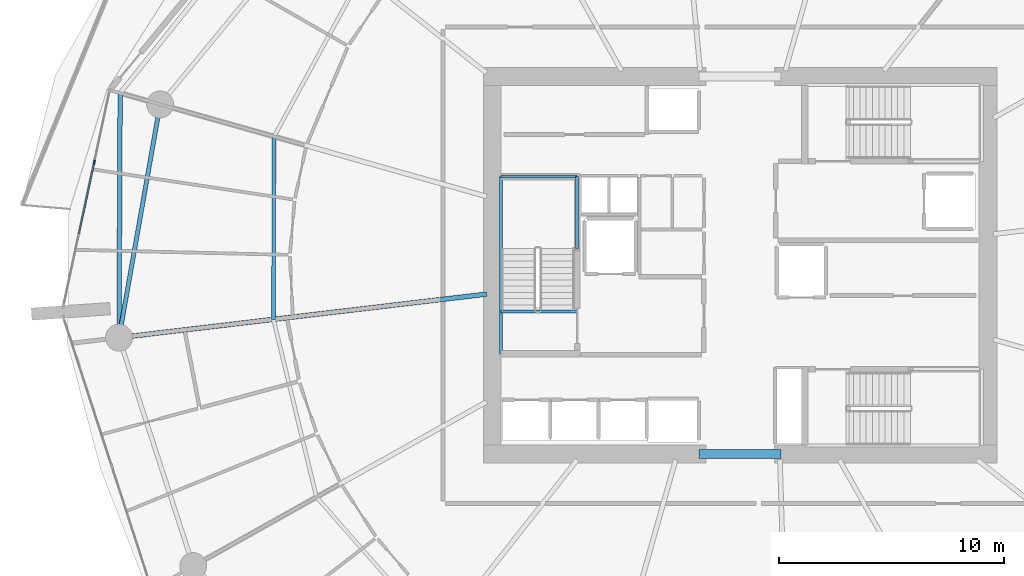
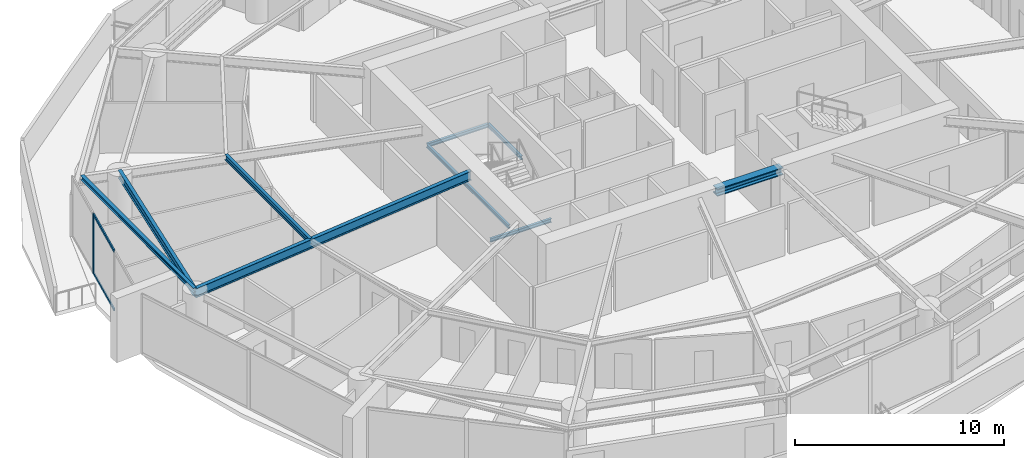
# One storey, part 6 of 23: 9 beams, 3 members, 1 element without a shape of its own.
"""IFC4 building model written with IfcOpenShell, lengths in metres."""

from ifc_helpers import new_model, si_unit, direction, frame, origin, origin_2d, place, context, subcontext, project, spatial, rectangle, i_section, extrude, material, layer, layer_set, material_profile, profile_set, type_object, element, aggregate, save


model = new_model("IFC4")

# Units and contexts
model_context = context("Model", 3, precision=1e-05, world=origin(), true_north=direction((0.0, 1.0)))
body_context = subcontext(model_context, "Body", "Model", "MODEL_VIEW")
ifc_project = project(units=[si_unit("LENGTHUNIT", "METRE"), si_unit("AREAUNIT", "SQUARE_METRE"), si_unit("VOLUMEUNIT", "CUBIC_METRE"), si_unit("PLANEANGLEUNIT", "RADIAN"), si_unit("MASSUNIT", "GRAM", prefix="KILO")], contexts=[model_context])

# Site, building, storey
site_placement = place(None, origin())
site = spatial("IfcSite", under=ifc_project, at=site_placement, CompositionType="ELEMENT")
building_placement = place(site_placement, origin())
building = spatial("IfcBuilding", under=site, at=building_placement, Name="Kazma Halo Residences", CompositionType="ELEMENT")
storey_placement = place(building_placement, frame((0.0, 0.0, 108.89990234375)))
storey = spatial("IfcBuildingStorey", under=building, at=storey_placement, Name="L27", CompositionType="ELEMENT", Elevation=108.89990234375)

# Beams
ifc_material_1 = material(Name="Steel S355", Category="steel")
ifc_material_profile_1 = material_profile(ifc_material_1, i_section(OverallWidth=0.201904296875, OverallDepth=0.2470703125, WebThickness=0.00732421875, FlangeThickness=0.010986328125, FilletRadius=0.011962890625, at=origin_2d()), Name="W250x49.1")
ifc_profile_set_1 = profile_set([ifc_material_profile_1], Name="Steel S355")
beam_type_1 = type_object("IfcBeamType", Name="BM-BAL-CANT", PredefinedType="BEAM", material=ifc_profile_set_1)
beam_1_placement = place(storey_placement, frame((20.8427734375, 49.6591796875, 3.376708984375), z_axis=(-0.004532963616, -0.999989726068, 0.0), x_axis=(0.999989726068, -0.004532963616, 0.0)))
element("IfcBeam", 1, at=beam_1_placement, inside=storey, type_object=beam_type_1, Name="L27 wave-balcony tie beam 07", PredefinedType="BEAM", context=body_context, shape_type="SweptSolid", body=[
    extrude(i_section(OverallWidth=0.201904296875, OverallDepth=0.2470703125, WebThickness=0.00732421875, FlangeThickness=0.010986328125, FilletRadius=0.011962890625, at=origin_2d()), origin(), (0.0, 0.0, 1.0), 10.87939453125),
])
ifc_material_profile_2 = material_profile(ifc_material_1, i_section(OverallWidth=0.408935546875, OverallDepth=0.425048828125, WebThickness=0.03271484375, FlangeThickness=0.052490234375, FilletRadius=0.02001953125, at=origin_2d()), Name="W360x421")
ifc_profile_set_2 = profile_set([ifc_material_profile_2], Name="Steel S355")
beam_type_2 = type_object("IfcBeamType", Name="BM-CORE-W360H", PredefinedType="BEAM", material=ifc_profile_set_2)
beam_2_placement = place(storey_placement, frame((46.60009765625, 33.60009765625, 3.28759765625), z_axis=(1.0, 0.0, 0.0), x_axis=(0.0, 1.0, 0.0)))
element("IfcBeam", 2, at=beam_2_placement, inside=storey, type_object=beam_type_2, Name="L27 core coupling beam S", PredefinedType="BEAM", context=body_context, shape_type="SweptSolid", body=[
    extrude(i_section(OverallWidth=0.408935546875, OverallDepth=0.425048828125, WebThickness=0.03271484375, FlangeThickness=0.052490234375, FilletRadius=0.02001953125, at=origin_2d()), origin(), (0.0, 0.0, 1.0), 3.64990234375),
])
ifc_material_profile_3 = material_profile(ifc_material_1, i_section(OverallWidth=0.208984375, OverallDepth=0.532958984375, WebThickness=0.01025390625, FlangeThickness=0.015625, FilletRadius=0.01611328125, at=origin_2d()), Name="W530x92")
ifc_profile_set_3 = profile_set([ifc_material_profile_3], Name="Steel S355")
beam_type_3 = type_object("IfcBeamType", Name="BM-RAD-W530", PredefinedType="BEAM", material=ifc_profile_set_3)
beam_3_placement = place(storey_placement, frame((37.14990234375, 40.7158203125, 3.233642578125), z_axis=(-0.99306759037, -0.117544718963, 0.0), x_axis=(0.117544718963, -0.99306759037, 0.0)))
element("IfcBeam", 3, at=beam_3_placement, inside=storey, type_object=beam_type_3, Name="L27 radial floor beam 08", PredefinedType="BEAM", context=body_context, shape_type="SweptSolid", body=[
    extrude(i_section(OverallWidth=0.208984375, OverallDepth=0.532958984375, WebThickness=0.01025390625, FlangeThickness=0.015625, FilletRadius=0.01611328125, at=origin_2d()), origin(), (0.0, 0.0, 1.0), 16.470703125),
])
ifc_material_profile_4 = material_profile(ifc_material_1, i_section(OverallWidth=0.1650390625, OverallDepth=0.31005859375, WebThickness=0.005859375, FlangeThickness=0.009765625, FilletRadius=0.011962890625, at=origin_2d()), Name="W310x38.7")
ifc_profile_set_4 = profile_set([ifc_material_profile_4], Name="Steel S355")
beam_type_4 = type_object("IfcBeamType", Name="BM-SEC-W310B", PredefinedType="JOIST", material=ifc_profile_set_4)
beam_4_placement = place(storey_placement, frame((27.69189453125, 47.7275390625, 3.34521484375), z_axis=(-0.003541500645, -0.999993728867, 0.0), x_axis=(0.999993728867, -0.003541500645, 0.0)))
element("IfcBeam", 4, at=beam_4_placement, inside=storey, type_object=beam_type_4, Name="L27 circumferential floor joist 07", PredefinedType="JOIST", context=body_context, shape_type="SweptSolid", body=[
    extrude(i_section(OverallWidth=0.1650390625, OverallDepth=0.31005859375, WebThickness=0.005859375, FlangeThickness=0.009765625, FilletRadius=0.011962890625, at=origin_2d()), origin(), (0.0, 0.0, 1.0), 8.134521484375),
])
ifc_material_profile_5 = material_profile(ifc_material_1, i_section(OverallWidth=0.18994140625, OverallDepth=0.45703125, WebThickness=0.009033203125, FlangeThickness=0.014404296875, FilletRadius=0.01611328125, at=origin_2d()), Name="W460x74")
ifc_profile_set_5 = profile_set([ifc_material_profile_5], Name="Steel S355")
beam_type_5 = type_object("IfcBeamType", Name="BM-SPN-W460", PredefinedType="BEAM", material=ifc_profile_set_5)
beam_5_placement = place(storey_placement, frame((22.623291015625, 49.156982421875, 3.271484375), z_axis=(-0.173653159051, -0.984806874647, 0.0), x_axis=(0.984806874647, -0.173653159051, 0.0)))
element("IfcBeam", 5, at=beam_5_placement, inside=storey, type_object=beam_type_5, Name="L27 perimeter ring beam 07", PredefinedType="BEAM", context=body_context, shape_type="SweptSolid", body=[
    extrude(i_section(OverallWidth=0.18994140625, OverallDepth=0.45703125, WebThickness=0.009033203125, FlangeThickness=0.014404296875, FilletRadius=0.01611328125, at=origin_2d()), origin(), (0.0, 0.0, 1.0), 10.537353515625),
])
ifc_material_profile_6 = material_profile(ifc_material_1, i_section(OverallWidth=0.133056640625, OverallDepth=0.20703125, WebThickness=0.005859375, FlangeThickness=0.00830078125, FilletRadius=0.010009765625, at=origin_2d()), Name="W200x26.6")
ifc_profile_set_6 = profile_set([ifc_material_profile_6], Name="Steel S355")
beam_type_6 = type_object("IfcBeamType", Name="BM-TRIM-W200", PredefinedType="BEAM", material=ifc_profile_set_6)
beam_6_placement = place(storey_placement, frame((37.800048828125, 39.949951171875, -0.35986328125), z_axis=(1.0, 0.0, 0.0), x_axis=(0.0, 1.0, 0.0)))
element("IfcBeam", 6, at=beam_6_placement, inside=storey, type_object=beam_type_6, Name="L27 ST-01 floor landing support beam", PredefinedType="BEAM", context=body_context, shape_type="SweptSolid", body=[
    extrude(i_section(OverallWidth=0.133056640625, OverallDepth=0.20703125, WebThickness=0.005859375, FlangeThickness=0.00830078125, FilletRadius=0.010009765625, at=origin_2d()), origin(), (0.0, 0.0, 1.0), 3.3798828125),
])
beam_7_placement = place(storey_placement, frame((37.780029296875, 38.06005859375, 1.570068359375), z_axis=(0.0, 1.0, 0.0), x_axis=(-1.0, 0.0, 0.0)))
element("IfcBeam", 7, at=beam_7_placement, inside=storey, type_object=beam_type_6, Name="L27 ST-01 landing west wall ledger", PredefinedType="BEAM", context=body_context, shape_type="SweptSolid", body=[
    extrude(i_section(OverallWidth=0.133056640625, OverallDepth=0.20703125, WebThickness=0.005859375, FlangeThickness=0.00830078125, FilletRadius=0.010009765625, at=origin_2d()), origin(), (0.0, 0.0, 1.0), 7.8798828125),
])
beam_8_placement = place(storey_placement, frame((41.179931640625, 42.75, 1.570068359375), z_axis=(0.0, 1.0, 0.0), x_axis=(-1.0, 0.0, 0.0)))
element("IfcBeam", 8, at=beam_8_placement, inside=storey, type_object=beam_type_6, Name="L27 ST-01 landing east wall ledger", PredefinedType="BEAM", context=body_context, shape_type="SweptSolid", body=[
    extrude(i_section(OverallWidth=0.133056640625, OverallDepth=0.20703125, WebThickness=0.005859375, FlangeThickness=0.00830078125, FilletRadius=0.010009765625, at=origin_2d()), origin(), (0.0, 0.0, 1.0), 3.18994140625),
])
beam_9_placement = place(storey_placement, frame((37.780029296875, 45.93994140625, 1.570068359375), z_axis=(1.0, 0.0, 0.0), x_axis=(0.0, 1.0, 0.0)))
element("IfcBeam", 9, at=beam_9_placement, inside=storey, type_object=beam_type_6, Name="L27 ST-01 landing end wall ledger", PredefinedType="BEAM", context=body_context, shape_type="SweptSolid", body=[
    extrude(i_section(OverallWidth=0.133056640625, OverallDepth=0.20703125, WebThickness=0.005859375, FlangeThickness=0.00830078125, FilletRadius=0.010009765625, at=origin_2d()), origin(), (0.0, 0.0, 1.0), 3.39990234375),
])

# Curtain wall, members
ifc_material_2 = material(Name="Aluminium AW-6063 T6 and Triple-Silver Low-E Glass", Category="aluminium")
ifc_layer = layer(ifc_material_2, 0.199951171875)
ifc_layer_set = layer_set([ifc_layer], Name="Aluminium AW-6063 T6 and Triple-Silver Low-E Glass")
curtain_wall_type = type_object("IfcCurtainWallType", Name="CW-SYS-3", PredefinedType="NOTDEFINED", material=ifc_layer_set)
curtain_wall_placement = place(storey_placement, origin())
curtain_wall = element("IfcCurtainWall", 10, at=curtain_wall_placement, inside=storey, type_object=curtain_wall_type, Name="L27 unitised curtain wall B07", PredefinedType="NOTDEFINED")
ifc_material_3 = material(Name="Aluminium AW-6063 T6", Category="aluminium")
ifc_material_profile_7 = material_profile(ifc_material_3, rectangle(XDim=0.070068359375, YDim=0.199951171875, at=origin_2d()), Name="CWM-70x200")
ifc_profile_set_7 = profile_set([ifc_material_profile_7], Name="Aluminium AW-6063 T6")
member_type_1 = type_object("IfcMemberType", Name="CW-SYS-3-MUL", PredefinedType="MULLION", material=ifc_profile_set_7)
member_1_placement = place(storey_placement, frame((19.69287109375, 46.5791015625, 0.0), z_axis=(0.0, 0.0, 1.0), x_axis=(0.977774176093, -0.209660822677, 0.0)))
member_1 = element("IfcMember", 11, at=member_1_placement, type_object=member_type_1, Name="CWS-3 mullion 2", PredefinedType="MULLION", context=body_context, shape_type="SweptSolid", body=[
    extrude(rectangle(XDim=0.070068359375, YDim=0.199951171875, at=origin_2d()), origin(), (0.0, 0.0, 1.0), 3.5),
])
ifc_material_profile_8 = material_profile(ifc_material_3, rectangle(XDim=0.070068359375, YDim=0.14990234375, at=origin_2d()), Name="CWT-70x150")
ifc_profile_set_8 = profile_set([ifc_material_profile_8], Name="Aluminium AW-6063 T6")
member_type_2 = type_object("IfcMemberType", Name="CW-SYS-3-TRN", PredefinedType="USERDEFINED", material=ifc_profile_set_8)
member_2_placement = place(storey_placement, frame((19.685546875, 46.544921875, 0.03515625), z_axis=(-0.209627675811, -0.977781283076, 0.0), x_axis=(0.977781283076, -0.209627675811, 0.0)))
member_2 = element("IfcMember", 12, at=member_2_placement, type_object=member_type_2, Name="CWS-3 transom 2.1", ObjectType="TRANSOM", PredefinedType="USERDEFINED", context=body_context, shape_type="SweptSolid", body=[
    extrude(rectangle(XDim=0.070068359375, YDim=0.14990234375, at=origin_2d()), origin(), (0.0, 0.0, 1.0), 3.213134765625),
])
member_3_placement = place(storey_placement, frame((19.685546875, 46.544921875, 3.465087890625), z_axis=(-0.209627675811, -0.977781283076, 0.0), x_axis=(0.977781283076, -0.209627675811, 0.0)))
member_3 = element("IfcMember", 13, at=member_3_placement, type_object=member_type_2, Name="CWS-3 transom 2.2", ObjectType="TRANSOM", PredefinedType="USERDEFINED", context=body_context, shape_type="SweptSolid", body=[
    extrude(rectangle(XDim=0.070068359375, YDim=0.14990234375, at=origin_2d()), origin(), (0.0, 0.0, 1.0), 3.213134765625),
])
aggregate(curtain_wall, [member_1, member_2, member_3])

save(model, "model.ifc")
